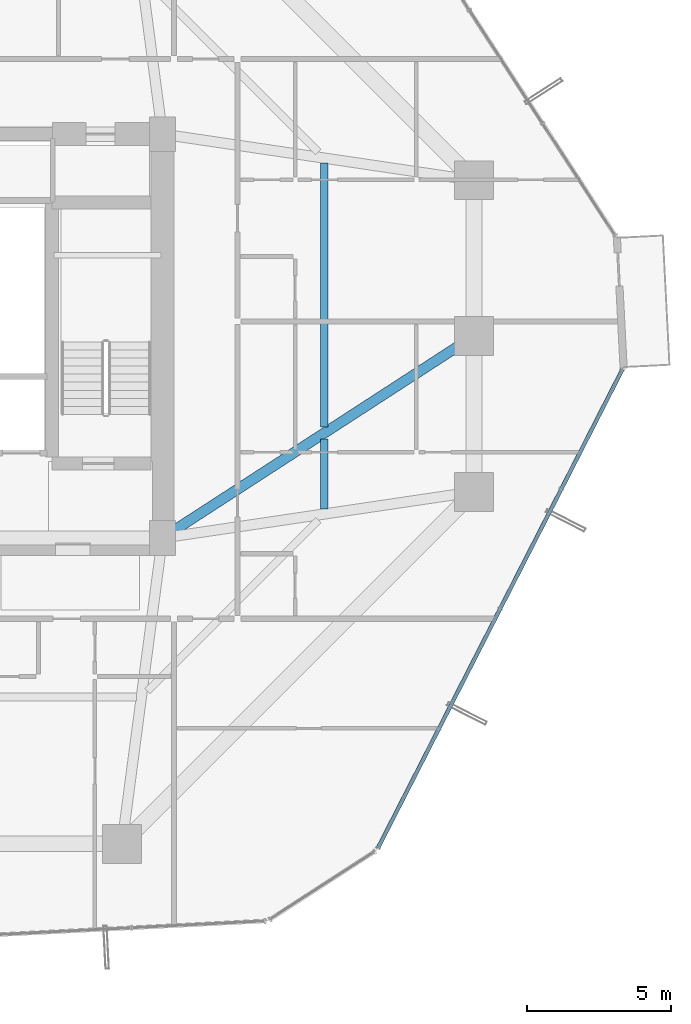
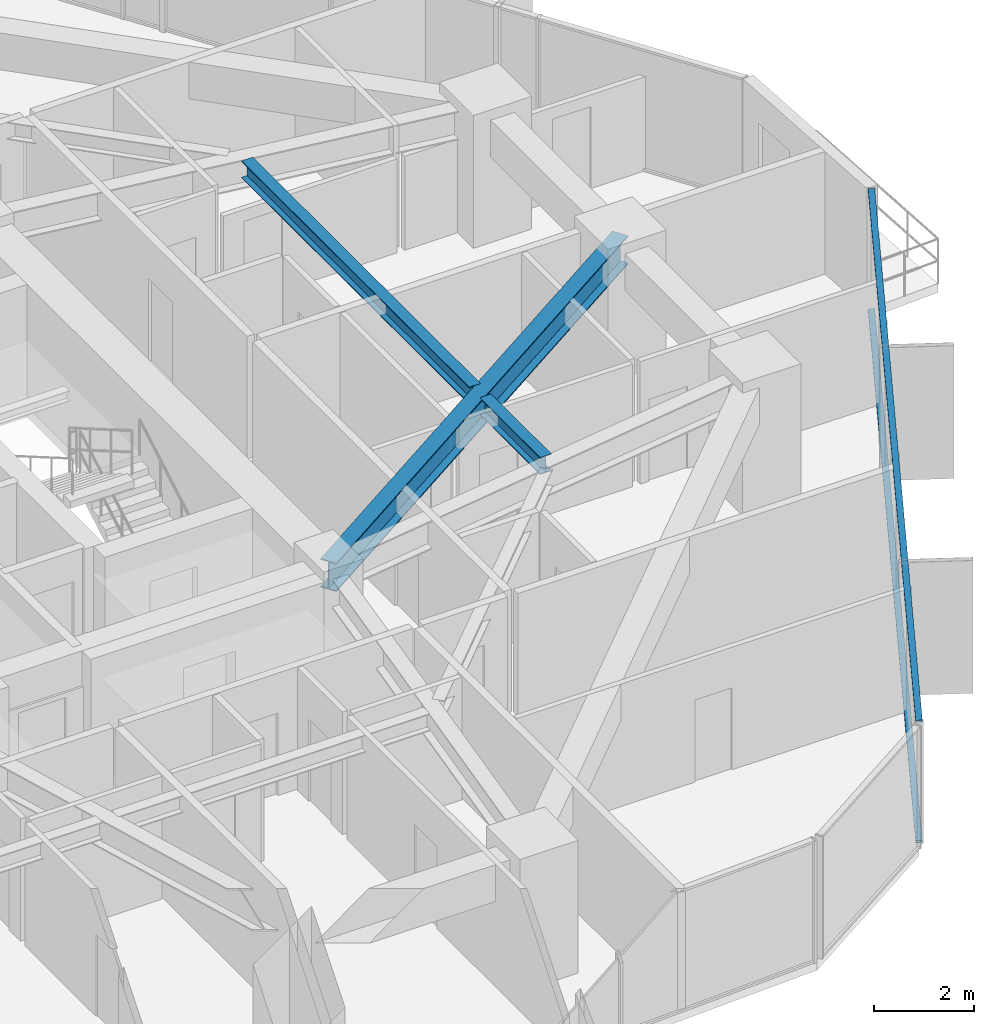
# One storey, part 17 of 37: 3 beams, 2 members, 1 element without a shape of its own.
"""IFC4 building model written with IfcOpenShell, lengths in metres."""

from ifc_helpers import new_model, si_unit, direction, frame, origin, origin_2d, place, context, subcontext, project, spatial, hollow_rectangle, i_section, extrude, source, transform, mapped, material, layer, layer_set, material_profile, profile_set, type_object, element, aggregate, save


model = new_model("IFC4")

# Units and contexts
model_context = context("Model", 3, precision=1e-05, world=origin(), true_north=direction((0.0, 1.0)))
body_context = subcontext(model_context, "Body", "Model", "MODEL_VIEW")
ifc_project = project(units=[si_unit("LENGTHUNIT", "METRE"), si_unit("AREAUNIT", "SQUARE_METRE"), si_unit("VOLUMEUNIT", "CUBIC_METRE"), si_unit("PLANEANGLEUNIT", "RADIAN"), si_unit("MASSUNIT", "GRAM", prefix="KILO")], contexts=[model_context])

# Site, building, storey
site_placement = place(None, origin())
site = spatial("IfcSite", under=ifc_project, at=site_placement, CompositionType="ELEMENT")
building_placement = place(site_placement, origin())
building = spatial("IfcBuilding", under=site, at=building_placement, Name="Veraguas Prism Commons", CompositionType="ELEMENT")
storey_placement = place(building_placement, frame((0.0, 0.0, 33.800048828125)))
storey = spatial("IfcBuildingStorey", under=building, at=storey_placement, Name="L08", CompositionType="ELEMENT", Elevation=33.800048828125)

# Beams
ifc_material_1 = material(Name="Steel ASTM A992 Grade 50", Category="steel")
ifc_material_profile_1 = material_profile(ifc_material_1, i_section(OverallWidth=0.260986328125, OverallDepth=0.419921875, WebThickness=0.01171875, FlangeThickness=0.019287109375, at=origin_2d()), Name="W410X114")
ifc_profile_set_1 = profile_set([ifc_material_profile_1], Name="Steel ASTM A992 Grade 50")
beam_type_1 = type_object("IfcBeamType", Name="Lower Floor Joist W410x114", PredefinedType="JOIST", material=ifc_profile_set_1)
beam_1_placement = place(storey_placement, frame((36.416015625, 18.010009765625, 2.7900390625), z_axis=(0.0, 1.0, 0.0), x_axis=(-1.0, 0.0, 0.0)))
element("IfcBeam", 1, at=beam_1_placement, inside=storey, type_object=beam_type_1, Name="Composite Floor Joist L08-JS01", PredefinedType="JOIST", context=body_context, shape_type="SweptSolid", body=[
    extrude(i_section(OverallWidth=0.260986328125, OverallDepth=0.419921875, WebThickness=0.01171875, FlangeThickness=0.019287109375, at=origin_2d()), origin(), (0.0, 0.0, 1.0), 2.42041015625),
])
beam_2_placement = place(storey_placement, frame((36.416015625, 20.849609375, 2.7900390625), z_axis=(0.0, 1.0, 0.0), x_axis=(-1.0, 0.0, 0.0)))
element("IfcBeam", 2, at=beam_2_placement, inside=storey, type_object=beam_type_1, Name="Composite Floor Joist L08-JS02", PredefinedType="JOIST", context=body_context, shape_type="SweptSolid", body=[
    extrude(i_section(OverallWidth=0.260986328125, OverallDepth=0.419921875, WebThickness=0.01171875, FlangeThickness=0.019287109375, at=origin_2d()), origin(), (0.0, 0.0, 1.0), 9.140380859375),
])
ifc_material_profile_2 = material_profile(ifc_material_1, i_section(OverallWidth=0.35595703125, OverallDepth=0.700927734375, WebThickness=0.016845703125, FlangeThickness=0.02734375, at=origin_2d()), Name="W690X240")
ifc_profile_set_2 = profile_set([ifc_material_profile_2], Name="Steel ASTM A992 Grade 50")
beam_type_2 = type_object("IfcBeamType", Name="Zone 1 Radial Girder W690x240", PredefinedType="BEAM", material=ifc_profile_set_2)
beam_3_placement = place(storey_placement, frame((41.60009765625, 24.0, 2.6494140625), z_axis=(-0.839154108875, -0.543893722668, 0.0), x_axis=(0.543893722668, -0.839154108875, 0.0)))
element("IfcBeam", 3, at=beam_3_placement, inside=storey, type_object=beam_type_2, Name="Radial Floor Girder L08-RD02", PredefinedType="BEAM", context=body_context, shape_type="SweptSolid", body=[
    extrude(i_section(OverallWidth=0.35595703125, OverallDepth=0.700927734375, WebThickness=0.016845703125, FlangeThickness=0.02734375, at=origin_2d()), origin(), (0.0, 0.0, 1.0), 12.8701171875),
])

# Curtain wall, members
ifc_material_2 = material(Name="Anodised aluminium EN AW-6063 T6", Category="aluminium")
ifc_layer = layer(ifc_material_2, 0.169921875, Name="Unitised Flush Curtain Wall Zone 1", Category="aluminium")
ifc_layer_set = layer_set([ifc_layer], Name="Anodised aluminium EN AW-6063 T6")
curtain_wall_type = type_object("IfcCurtainWallType", Name="Unitised Flush Curtain Wall Zone 1", PredefinedType="NOTDEFINED", material=ifc_layer_set)
curtain_wall_placement = place(storey_placement, origin())
curtain_wall = element("IfcCurtainWall", 4, at=curtain_wall_placement, inside=storey, type_object=curtain_wall_type, Name="Tower Facade Curtain Wall L08-F6", PredefinedType="NOTDEFINED")
ifc_material_profile_3 = material_profile(ifc_material_2, hollow_rectangle(XDim=0.054931640625, YDim=0.135009765625, WallThickness=0.0029296875, at=origin_2d()), Name="AL55X135X3")
ifc_profile_set_3 = profile_set([ifc_material_profile_3], Name="Anodised aluminium EN AW-6063 T6")
member_type = type_object("IfcMemberType", Name="Curtain Wall Transom Standard AL 55x135x3", PredefinedType="USERDEFINED", material=ifc_profile_set_3)
shared_shape = source(origin(), body_context, "Body", "SweptSolid", [
    extrude(hollow_rectangle(XDim=0.054931640625, YDim=0.135009765625, WallThickness=0.0029296875, at=origin_2d()), origin(), (0.0, 0.0, 1.0), 18.6240234375),
])
member_1_placement = place(storey_placement, frame((38.273193359375, 6.251953125, 0.02734375), z_axis=(0.454920728031, 0.890531937219, 0.0), x_axis=(0.0, 0.0, 1.0)))
member_1 = element("IfcMember", 5, at=member_1_placement, type_object=member_type, Name="CW-Z1 Transom 1", ObjectType="TRANSOM", PredefinedType="USERDEFINED", context=body_context, shape_type="MappedRepresentation", body=[
    mapped(shared_shape, transform((0.0, 0.0, 0.0), scale=1.0)),
])
member_2_placement = place(storey_placement, frame((38.273193359375, 6.251953125, 2.972412109375), z_axis=(0.454920728031, 0.890531937219, 0.0), x_axis=(0.0, 0.0, 1.0)))
member_2 = element("IfcMember", 6, at=member_2_placement, type_object=member_type, Name="CW-Z1 Transom 2", ObjectType="TRANSOM", PredefinedType="USERDEFINED", context=body_context, shape_type="MappedRepresentation", body=[
    mapped(shared_shape, transform((0.0, 0.0, 0.0), scale=1.0)),
])
aggregate(curtain_wall, [member_1, member_2])

save(model, "model.ifc")
